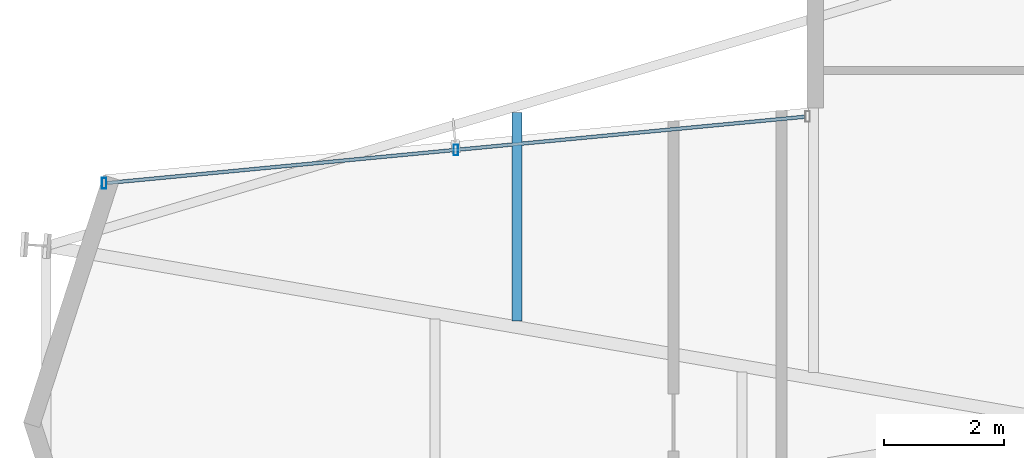
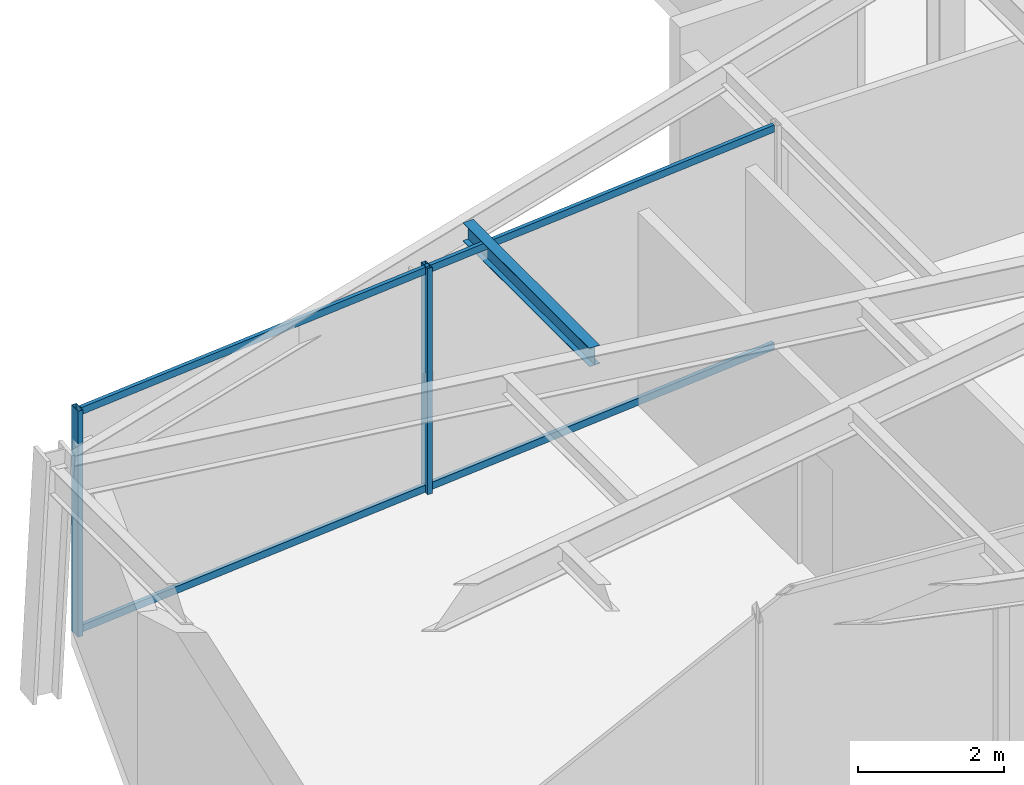
# One storey, part 8 of 21: 4 members, 1 beam, 1 element without a shape of its own.
"""IFC4 building model written with IfcOpenShell, lengths in metres."""

import ifcopenshell
import ifcopenshell.guid

model = None  # the IFC model being written
_history = None  # IfcOwnerHistory: only IFC2X3 demands one
_inside = {}  # id of a spatial element -> (the spatial element, [elements in it])
_under = {}  # id of a project, library or spatial element -> (it, [spatial elements below it])
_declared = {}  # id of a project -> (the project, [libraries it declares])
_typed = {}  # id of a type object -> (the type object, [elements of that type])
_made_of = {}  # id of a material, layer set ... -> (it, [elements and type objects made of it])


def new_model(schema):
    """Start an empty IFC model of exactly this schema.

    Asked for "IFC4X3", IfcOpenShell would pick the latest addendum, in which some entities
    have other attributes; the version numbers below select the first issue.
    IFC2X3 requires an IfcOwnerHistory on every rooted entity: one is made here for all.
    """
    global model, _history
    if schema == "IFC4X3":
        model = ifcopenshell.file(schema_version=(4, 3, 0, 0))
    else:
        model = ifcopenshell.file(schema=schema)
    _inside.clear()
    _under.clear()
    _declared.clear()
    _typed.clear()
    _made_of.clear()
    _history = None
    if model.schema == "IFC2X3":
        org = make("IfcOrganization", Name="unknown")
        user = make(
            "IfcPersonAndOrganization",
            ThePerson=make("IfcPerson", FamilyName="unknown"),
            TheOrganization=org,
        )
        app = make(
            "IfcApplication",
            ApplicationDeveloper=org,
            Version="unknown",
            ApplicationFullName="unknown",
            ApplicationIdentifier="unknown",
        )
        _history = make(
            "IfcOwnerHistory",
            OwningUser=user,
            OwningApplication=app,
            ChangeAction="ADDED",
            CreationDate=0,
        )
    return model


def make(cls, **values):
    """One entity of the class cls with the attributes given. An attribute that is None is left unset."""
    return model.create_entity(
        cls, **{name: value for name, value in values.items() if value is not None}
    )


def rooted(cls, **values):
    """An entity with a GlobalId (a new one), such as an element, a storey or a relation."""
    return make(cls, GlobalId=ifcopenshell.guid.new(), OwnerHistory=_history, **values)


def si_unit(unit_type, name, prefix=None):
    """IfcSIUnit, for example si_unit("LENGTHUNIT", "METRE", prefix="MILLI")."""
    return make("IfcSIUnit", UnitType=unit_type, Prefix=prefix, Name=name)


def assignment(units):
    """IfcUnitAssignment: the units of a project."""
    return None if units is None else make("IfcUnitAssignment", Units=units)


def point(xyz):
    """IfcCartesianPoint."""
    return None if xyz is None else make("IfcCartesianPoint", Coordinates=xyz)


def direction(xyz):
    """IfcDirection."""
    return None if xyz is None else make("IfcDirection", DirectionRatios=xyz)


def frame(location, z_axis=None, x_axis=None):
    """IfcAxis2Placement3D, a coordinate frame: its origin and axes. An axis left out is left unset."""
    return make(
        "IfcAxis2Placement3D",
        Location=point(location),
        Axis=direction(z_axis),
        RefDirection=direction(x_axis),
    )


def frame_2d(location, x_axis=None):
    """IfcAxis2Placement2D, a coordinate frame in the plane: its origin and x axis."""
    return make(
        "IfcAxis2Placement2D", Location=point(location), RefDirection=direction(x_axis)
    )


def origin():
    """The frame at (0, 0, 0) with its axes left unset."""
    return frame((0.0, 0.0, 0.0))


def origin_2d():
    """The frame at (0, 0) in the plane with its x axis left unset."""
    return frame_2d((0.0, 0.0))


def place(relative_to, where):
    """IfcLocalPlacement: puts the frame where relative to a parent placement (None: the world)."""
    return make(
        "IfcLocalPlacement", PlacementRelTo=relative_to, RelativePlacement=where
    )


def context(
    kind, dimensions, precision=None, world=None, true_north=None, identifier=None
):
    """IfcGeometricRepresentationContext, for example the 3D "Model" context."""
    return make(
        "IfcGeometricRepresentationContext",
        ContextIdentifier=identifier,
        ContextType=kind,
        CoordinateSpaceDimension=dimensions,
        Precision=precision,
        WorldCoordinateSystem=world,
        TrueNorth=true_north,
    )


def subcontext(parent, identifier, kind, view, scale=None):
    """IfcGeometricRepresentationSubContext, for example "Body" below "Model"."""
    return make(
        "IfcGeometricRepresentationSubContext",
        ContextIdentifier=identifier,
        ContextType=kind,
        ParentContext=parent,
        TargetScale=scale,
        TargetView=view,
    )


def project(units=None, contexts=None):
    """IfcProject with its units and contexts."""
    return rooted(
        "IfcProject",
        Name="project",
        RepresentationContexts=contexts,
        UnitsInContext=assignment(units),
    )


def spatial(cls, under=None, at=None, **own):
    """A site, building, storey or space (cls), placed at a placement, below another one or the project."""
    s = rooted(cls, ObjectPlacement=at, **own)
    if under is not None:
        _under.setdefault(under.id(), (under, []))[1].append(s)
    return s


def profile(cls, at=None, kind="AREA", **sizes):
    """A parametric profile (cls). Its sizes go by their IFC names, for example OverallWidth=200.0."""
    return make(cls, ProfileType=kind, Position=at, **sizes)


def hollow_rectangle(**sizes):
    """IfcRectangleHollowProfileDef."""
    return profile("IfcRectangleHollowProfileDef", **sizes)


def i_section(**sizes):
    """IfcIShapeProfileDef."""
    return profile("IfcIShapeProfileDef", **sizes)


def extrude(swept, where, along, depth):
    """IfcExtrudedAreaSolid: the profile swept, set in the frame where, extruded along a direction by depth."""
    return make(
        "IfcExtrudedAreaSolid",
        SweptArea=swept,
        Position=where,
        ExtrudedDirection=direction(along),
        Depth=depth,
    )


def shape(context_of_items, identifier, shape_type, items):
    """IfcShapeRepresentation: the items that make up one representation, for example the "Body"."""
    return make(
        "IfcShapeRepresentation",
        ContextOfItems=context_of_items,
        RepresentationIdentifier=identifier,
        RepresentationType=shape_type,
        Items=items,
    )


def material(Name=None, Category=None):
    """IfcMaterial."""
    return make("IfcMaterial", Name=Name, Category=Category)


def layer(
    of_material, thickness, ventilated=None, Name=None, Category=None, Priority=None
):
    """IfcMaterialLayer: one layer of a wall or slab, of a material (None: an air gap)."""
    return make(
        "IfcMaterialLayer",
        Material=of_material,
        LayerThickness=thickness,
        IsVentilated=ventilated,
        Name=Name,
        Category=Category,
        Priority=Priority,
    )


def layer_set(layers, Name=None):
    """IfcMaterialLayerSet."""
    return make("IfcMaterialLayerSet", MaterialLayers=layers, LayerSetName=Name)


def material_profile(
    of_material, cross_section, Name=None, Category=None, Priority=None
):
    """IfcMaterialProfile: a cross section and its material."""
    return make(
        "IfcMaterialProfile",
        Name=Name,
        Material=of_material,
        Profile=cross_section,
        Priority=Priority,
        Category=Category,
    )


def profile_set(profiles, Name=None, composite=None):
    """IfcMaterialProfileSet."""
    return make(
        "IfcMaterialProfileSet",
        Name=Name,
        MaterialProfiles=profiles,
        CompositeProfile=composite,
    )


def made_of(thing, what):
    """Note that an element or type object is made of a material, layer set ...; save() writes the relation."""
    if what is not None:
        _made_of.setdefault(what.id(), (what, []))[1].append(thing)
    return thing


def type_object(cls, material=None, **own):
    """A type object (cls), such as IfcWallType, which elements share."""
    return made_of(rooted(cls, **own), material)


def element(
    cls,
    number,
    at=None,
    inside=None,
    cuts=None,
    type_object=None,
    material=None,
    context=None,
    identifier="Body",
    shape_type=None,
    held_by="IfcProductDefinitionShape",
    body=None,
    shapes=None,
    **own,
):
    """One element of the class cls, such as IfcWall. Its Tag is "e" and its number.

    at: its placement. inside: the storey or other place that contains it. cuts: it is an
    opening in that element (IfcRelVoidsElement). A single representation is given by context,
    identifier, shape_type and body (its items); several are given by shapes. held_by: the class
    of the entity that holds the representations. save() writes the other relations.
    """
    e = rooted(cls, Tag="e%d" % number, ObjectPlacement=at, **own)
    if body is not None:
        shapes = [shape(context, identifier, shape_type, body)]
    if shapes is not None:
        e.Representation = make(held_by, Representations=shapes)
    if inside is not None:
        _inside.setdefault(inside.id(), (inside, []))[1].append(e)
    if cuts is not None:
        rooted(
            "IfcRelVoidsElement", RelatingBuildingElement=cuts, RelatedOpeningElement=e
        )
    if type_object is not None:
        _typed.setdefault(type_object.id(), (type_object, []))[1].append(e)
    return made_of(e, material)


def aggregate(whole, parts):
    """IfcRelAggregates: a whole, such as a stair, and the parts it consists of."""
    return rooted("IfcRelAggregates", RelatingObject=whole, RelatedObjects=parts)


def save(model, path):
    """Write the relations noted so far, then the file.

    IfcRelAggregates (storeys below a building ...), IfcRelContainedInSpatialStructure (elements
    in a storey), IfcRelDefinesByType, IfcRelAssociatesMaterial and IfcRelDeclares: one each for
    every whole, place, type object, material and project.
    """
    for whole, parts in _under.values():
        aggregate(whole, parts)
    for where, things in _inside.values():
        rooted(
            "IfcRelContainedInSpatialStructure",
            RelatedElements=things,
            RelatingStructure=where,
        )
    for kind, things in _typed.values():
        rooted("IfcRelDefinesByType", RelatedObjects=things, RelatingType=kind)
    for what, things in _made_of.values():
        rooted("IfcRelAssociatesMaterial", RelatedObjects=things, RelatingMaterial=what)
    for by, libraries in _declared.values():
        rooted("IfcRelDeclares", RelatingContext=by, RelatedDefinitions=libraries)
    model.write(path)


model = new_model("IFC4")

# Units and contexts
model_context = context("Model", 3, precision=1e-05, world=origin(), true_north=direction((0.0, 1.0)))
body_context = subcontext(model_context, "Body", "Model", "MODEL_VIEW")
ifc_project = project(units=[si_unit("LENGTHUNIT", "METRE"), si_unit("AREAUNIT", "SQUARE_METRE"), si_unit("VOLUMEUNIT", "CUBIC_METRE"), si_unit("PLANEANGLEUNIT", "RADIAN"), si_unit("MASSUNIT", "GRAM", prefix="KILO")], contexts=[model_context])

# Site, building, storey
site_placement = place(None, origin())
site = spatial("IfcSite", under=ifc_project, at=site_placement, CompositionType="ELEMENT")
building_placement = place(site_placement, origin())
building = spatial("IfcBuilding", under=site, at=building_placement, Name="Veymaron Broadcast Tower", CompositionType="ELEMENT")
storey_placement = place(building_placement, frame((0.0, 0.0, 232.35009765625)))
storey = spatial("IfcBuildingStorey", under=building, at=storey_placement, Name="L54", CompositionType="ELEMENT", Elevation=232.35009765625)

# Beam
ifc_material_1 = material(Name="Structural steel ASTM A992 Gr 50", Category="steel")
ifc_material_profile_1 = material_profile(ifc_material_1, i_section(OverallWidth=0.1650390625, OverallDepth=0.31005859375, WebThickness=0.005859375, FlangeThickness=0.009765625, at=origin_2d()), Name="W310X39")
ifc_profile_set_1 = profile_set([ifc_material_profile_1], Name="Structural steel ASTM A992 Gr 50")
beam_type = type_object("IfcBeamType", Name="BM-JS3", PredefinedType="JOIST", material=ifc_profile_set_1)
beam_placement = place(storey_placement, frame((21.991943359375, 25.6875, 3.635009765625), z_axis=(0.0, 1.0, 0.0), x_axis=(-1.0, 0.0, 0.0)))
element("IfcBeam", 1, at=beam_placement, inside=storey, type_object=beam_type, Name="L54 Arm-A secondary joist 1N", PredefinedType="JOIST", context=body_context, shape_type="SweptSolid", body=[
    extrude(i_section(OverallWidth=0.1650390625, OverallDepth=0.31005859375, WebThickness=0.005859375, FlangeThickness=0.009765625, at=origin_2d()), origin(), (0.0, 0.0, 1.0), 3.47998046875),
])

# Curtain wall, members
ifc_material_2 = material(Name="Anodised aluminium AA 6063-T6 and laminated low-E dark glass", Category="aluminium")
ifc_layer = layer(ifc_material_2, 0.179931640625)
ifc_layer_set = layer_set([ifc_layer], Name="Anodised aluminium AA 6063-T6 and laminated low-E dark glass")
curtain_wall_type = type_object("IfcCurtainWallType", Name="CW-SYS-05", PredefinedType="NOTDEFINED", material=ifc_layer_set)
curtain_wall_placement = place(storey_placement, origin())
curtain_wall = element("IfcCurtainWall", 2, at=curtain_wall_placement, inside=storey, type_object=curtain_wall_type, Name="L54 dark-glass curtain wall CW-L54-E11-1", PredefinedType="NOTDEFINED")
ifc_material_3 = material(Name="Anodised aluminium AA 6063-T6", Category="aluminium")
ifc_material_profile_2 = material_profile(ifc_material_3, hollow_rectangle(XDim=0.074951171875, YDim=0.179931640625, WallThickness=0.0048828125, at=origin_2d()), Name="AL180X75X5")
ifc_profile_set_2 = profile_set([ifc_material_profile_2], Name="Anodised aluminium AA 6063-T6")
member_type_1 = type_object("IfcMemberType", Name="CW-MUL-02", PredefinedType="MULLION", material=ifc_profile_set_2)
member_1_placement = place(storey_placement, frame((20.97509765625, 28.54248046875, 0.0), z_axis=(0.0, 0.0, 1.0), x_axis=(1.0, 0.0, 0.0)))
member_1 = element("IfcMember", 3, at=member_1_placement, type_object=member_type_1, Name="CW-L54-E11-1 mullion 1", PredefinedType="MULLION", context=body_context, shape_type="SweptSolid", body=[
    extrude(hollow_rectangle(XDim=0.074951171875, YDim=0.179931640625, WallThickness=0.0048828125, at=origin_2d()), origin(), (0.0, 0.0, 1.0), 3.789794921875),
])
member_2_placement = place(storey_placement, frame((15.11328125, 27.986083984375, 0.0), z_axis=(0.0, 0.0, 1.0), x_axis=(1.0, 0.0, 0.0)))
member_2 = element("IfcMember", 4, at=member_2_placement, type_object=member_type_1, Name="CW-L54-E11-1 mullion 2", PredefinedType="MULLION", context=body_context, shape_type="SweptSolid", body=[
    extrude(hollow_rectangle(XDim=0.074951171875, YDim=0.179931640625, WallThickness=0.0048828125, at=origin_2d()), origin(), (0.0, 0.0, 1.0), 3.789794921875),
])
ifc_material_profile_3 = material_profile(ifc_material_3, hollow_rectangle(XDim=0.06005859375, YDim=0.1201171875, WallThickness=0.00390625, at=origin_2d()), Name="AL120X60X4")
ifc_profile_set_3 = profile_set([ifc_material_profile_3], Name="Anodised aluminium AA 6063-T6")
member_type_2 = type_object("IfcMemberType", Name="CW-TRN-02", PredefinedType="USERDEFINED", material=ifc_profile_set_3)
member_3_placement = place(storey_placement, frame((26.787353515625, 29.094482421875, 0.06982421875), z_axis=(-0.995522214706, -0.094527879627, 0.0), x_axis=(0.094527879627, -0.995522214706, 0.0)))
member_3 = element("IfcMember", 5, at=member_3_placement, type_object=member_type_2, Name="CW-L54-E11-1 transom B", ObjectType="TRANSOM", PredefinedType="USERDEFINED", context=body_context, shape_type="SweptSolid", body=[
    extrude(hollow_rectangle(XDim=0.06005859375, YDim=0.1201171875, WallThickness=0.00390625, at=origin_2d()), origin(), (0.0, 0.0, 1.0), 11.676513671875),
])
member_4_placement = place(storey_placement, frame((26.787353515625, 29.094482421875, 3.719970703125), z_axis=(-0.995522214706, -0.094527879627, 0.0), x_axis=(0.094527879627, -0.995522214706, 0.0)))
member_4 = element("IfcMember", 6, at=member_4_placement, type_object=member_type_2, Name="CW-L54-E11-1 transom T", ObjectType="TRANSOM", PredefinedType="USERDEFINED", context=body_context, shape_type="SweptSolid", body=[
    extrude(hollow_rectangle(XDim=0.06005859375, YDim=0.1201171875, WallThickness=0.00390625, at=origin_2d()), origin(), (0.0, 0.0, 1.0), 11.676513671875),
])
aggregate(curtain_wall, [member_1, member_2, member_3, member_4])

save(model, "model.ifc")
